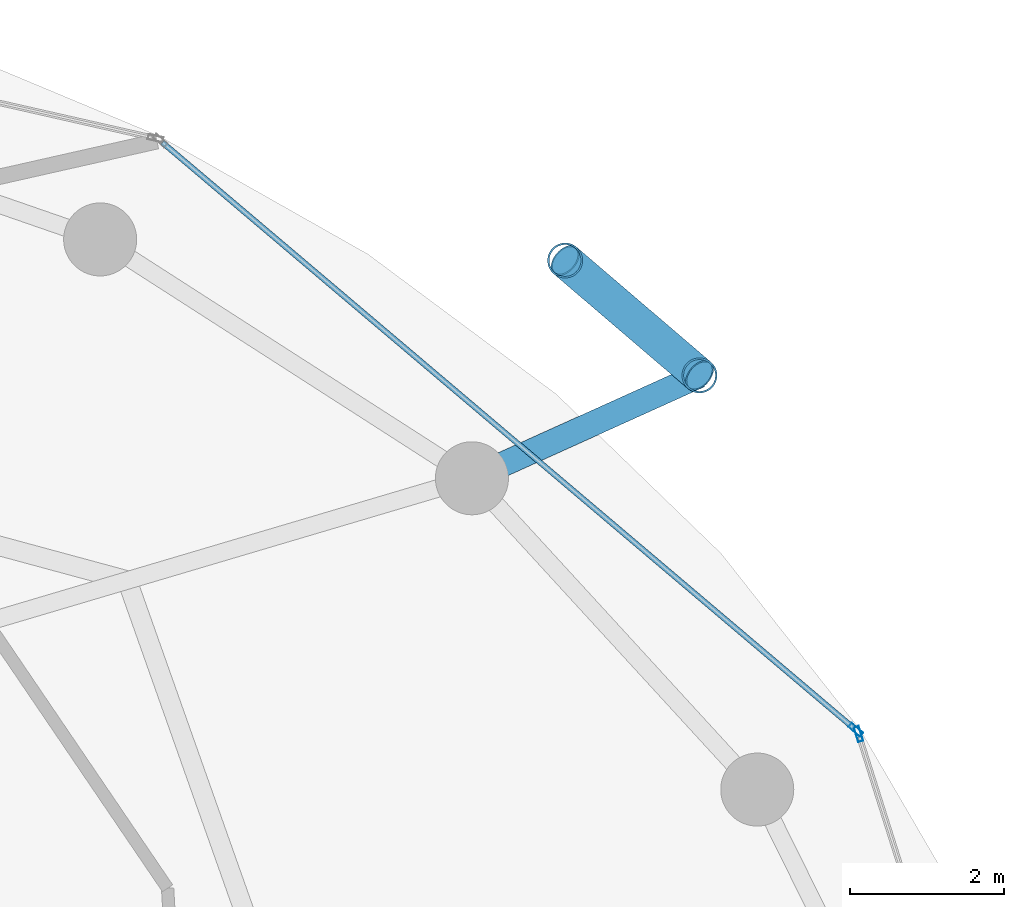
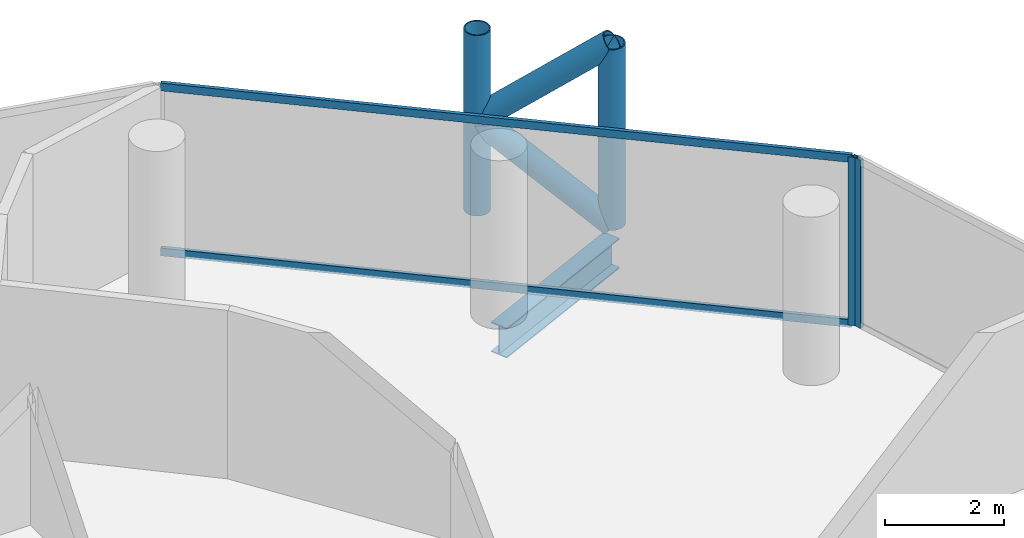
# One storey, part 19 of 26: 8 members, 1 beam, 2 elements without a shape of their own.
"""IFC4 building model written with IfcOpenShell, lengths in metres."""

from ifc_helpers import new_model, si_unit, direction, frame, origin, origin_2d, place, context, subcontext, project, spatial, hollow_rectangle, hollow_circle, i_section, extrude, material, layer, layer_set, material_profile, profile_set, type_object, element, aggregate, save


model = new_model("IFC4")

# Units and contexts
model_context = context("Model", 3, precision=1e-05, world=origin(), true_north=direction((0.0, 1.0)))
body_context = subcontext(model_context, "Body", "Model", "MODEL_VIEW")
ifc_project = project(units=[si_unit("LENGTHUNIT", "METRE"), si_unit("AREAUNIT", "SQUARE_METRE"), si_unit("VOLUMEUNIT", "CUBIC_METRE"), si_unit("PLANEANGLEUNIT", "RADIAN"), si_unit("MASSUNIT", "GRAM", prefix="KILO")], contexts=[model_context])

# Site, building, storey
site_placement = place(None, origin())
site = spatial("IfcSite", under=ifc_project, at=site_placement, CompositionType="ELEMENT")
building_placement = place(site_placement, origin())
building = spatial("IfcBuilding", under=site, at=building_placement, Name="Nuhasar Tower", CompositionType="ELEMENT")
storey_placement = place(building_placement, frame((0.0, 0.0, 121.949951171875)))
storey = spatial("IfcBuildingStorey", under=building, at=storey_placement, Name="L28", CompositionType="ELEMENT", Elevation=121.949951171875)

# Beam
ifc_material_1 = material(Name="Steel S355", Category="steel")
ifc_material_profile_1 = material_profile(ifc_material_1, i_section(OverallWidth=0.323974609375, OverallDepth=0.611083984375, WebThickness=0.0126953125, FlangeThickness=0.01904296875, at=origin_2d()), Name="W24X104")
ifc_profile_set_1 = profile_set([ifc_material_profile_1], Name="Steel S355")
beam_type = type_object("IfcBeamType", Name="BM-TIE-W24X104", PredefinedType="BEAM", material=ifc_profile_set_1)
beam_placement = place(storey_placement, frame((55.510986328125, 40.6240234375, -0.554931640625), z_axis=(0.911239591969, 0.411876687891, 0.0), x_axis=(-0.411876687891, 0.911239591969, 0.0)))
element("IfcBeam", 1, at=beam_placement, inside=storey, type_object=beam_type, Name="L28 Exoskeleton Node Tie Beam 02", PredefinedType="BEAM", context=body_context, shape_type="SweptSolid", body=[
    extrude(i_section(OverallWidth=0.323974609375, OverallDepth=0.611083984375, WebThickness=0.0126953125, FlangeThickness=0.01904296875, at=origin_2d()), origin(), (0.0, 0.0, 1.0), 3.248291015625),
])

# Curtain wall, member
ifc_material_2 = material(Name="Aluminium 6063-T6", Category="aluminium")
ifc_layer = layer(ifc_material_2, 0.199951171875)
ifc_layer_set = layer_set([ifc_layer], Name="Aluminium 6063-T6")
curtain_wall_type = type_object("IfcCurtainWallType", Name="CW-Z2-HTL", PredefinedType="NOTDEFINED", material=ifc_layer_set)
curtain_wall_1_placement = place(storey_placement, origin())
curtain_wall_1 = element("IfcCurtainWall", 2, at=curtain_wall_1_placement, inside=storey, type_object=curtain_wall_type, Name="L28 Unitised Curtain Wall 01", PredefinedType="NOTDEFINED")
ifc_material_profile_2 = material_profile(ifc_material_2, hollow_rectangle(XDim=0.070068359375, YDim=0.199951171875, WallThickness=0.0048828125, at=origin_2d()), Name="CWM-3")
ifc_profile_set_2 = profile_set([ifc_material_profile_2], Name="Aluminium 6063-T6")
member_type_1 = type_object("IfcMemberType", Name="CW-MUL-S3", PredefinedType="MULLION", material=ifc_profile_set_2)
member_1_placement = place(storey_placement, frame((60.53955078125, 37.296630859375, 0.0), z_axis=(0.0, 0.0, 1.0), x_axis=(-0.953433389233, -0.301603667577, 0.0)))
member_1 = element("IfcMember", 3, at=member_1_placement, type_object=member_type_1, Name="CW-Z2 mullion 2", PredefinedType="MULLION", context=body_context, shape_type="SweptSolid", body=[
    extrude(hollow_rectangle(XDim=0.070068359375, YDim=0.199951171875, WallThickness=0.0048828125, at=origin_2d()), origin(), (0.0, 0.0, 1.0), 3.449951171875),
])
aggregate(curtain_wall_1, [member_1])

# Curtain wall, members
curtain_wall_2_placement = place(storey_placement, origin())
curtain_wall_2 = element("IfcCurtainWall", 4, at=curtain_wall_2_placement, inside=storey, type_object=curtain_wall_type, Name="L28 Unitised Curtain Wall 02", PredefinedType="NOTDEFINED")
member_2_placement = place(storey_placement, frame((60.502197265625, 37.3525390625, 0.0), z_axis=(0.0, 0.0, 1.0), x_axis=(-0.646374438324, -0.763020370292, 0.0)))
member_2 = element("IfcMember", 5, at=member_2_placement, type_object=member_type_1, Name="CW-Z2 mullion 1", PredefinedType="MULLION", context=body_context, shape_type="SweptSolid", body=[
    extrude(hollow_rectangle(XDim=0.070068359375, YDim=0.199951171875, WallThickness=0.0048828125, at=origin_2d()), origin(), (0.0, 0.0, 1.0), 3.449951171875),
])
ifc_material_profile_3 = material_profile(ifc_material_2, hollow_rectangle(XDim=0.070068359375, YDim=0.159912109375, WallThickness=0.00439453125, at=origin_2d()), Name="CWT-3")
ifc_profile_set_3 = profile_set([ifc_material_profile_3], Name="Aluminium 6063-T6")
member_type_2 = type_object("IfcMemberType", Name="CW-TRN-S3", PredefinedType="USERDEFINED", material=ifc_profile_set_3)
member_3_placement = place(storey_placement, frame((60.4755859375, 37.375244140625, 0.03515625), z_axis=(-0.763023915269, 0.646370253592, 0.0), x_axis=(-0.646370253592, -0.763023915269, 0.0)))
member_3 = element("IfcMember", 6, at=member_3_placement, type_object=member_type_2, Name="CW-Z2 transom 1.1", ObjectType="TRANSOM", PredefinedType="USERDEFINED", context=body_context, shape_type="SweptSolid", body=[
    extrude(hollow_rectangle(XDim=0.070068359375, YDim=0.159912109375, WallThickness=0.00439453125, at=origin_2d()), origin(), (0.0, 0.0, 1.0), 11.784912109375),
])
member_4_placement = place(storey_placement, frame((60.4755859375, 37.375244140625, 3.4150390625), z_axis=(-0.763023915269, 0.646370253592, 0.0), x_axis=(-0.646370253592, -0.763023915269, 0.0)))
member_4 = element("IfcMember", 7, at=member_4_placement, type_object=member_type_2, Name="CW-Z2 transom 1.2", ObjectType="TRANSOM", PredefinedType="USERDEFINED", context=body_context, shape_type="SweptSolid", body=[
    extrude(hollow_rectangle(XDim=0.070068359375, YDim=0.159912109375, WallThickness=0.00439453125, at=origin_2d()), origin(), (0.0, 0.0, 1.0), 11.784912109375),
])
aggregate(curtain_wall_2, [member_2, member_3, member_4])

# Members
ifc_material_3 = material(Name="Steel S460", Category="steel")
ifc_material_profile_4 = material_profile(ifc_material_3, hollow_circle(Radius=0.228515625, WallThickness=0.022216796875, at=origin_2d()), Name="HSS457X22.2")
ifc_profile_set_4 = profile_set([ifc_material_profile_4], Name="Steel S460")
member_type_3 = type_object("IfcMemberType", Name="EXO-BRONZE-457", PredefinedType="BRACE", material=ifc_profile_set_4)
for number, where, z_axis, x_axis, name in (
    (8, (58.470947265625, 41.9619140625, 0.0), (0.0, 0.0, 1.0), (1.0, 0.0, 0.0), "L28 Exoskeleton Chord Column EC-02A"),
    (9, (56.722900390625, 43.45703125, 0.0), (0.0, 0.0, 1.0), (1.0, 0.0, 0.0), "L28 Exoskeleton Chord Column EC-02B"),
):
    element("IfcMember", number, at=place(storey_placement, frame(where, z_axis=z_axis, x_axis=x_axis)), inside=storey, type_object=member_type_3, Name=name, PredefinedType="BRACE", context=body_context, shape_type="SweptSolid", body=[
        extrude(hollow_circle(Radius=0.228515625, WallThickness=0.022216796875, at=origin_2d()), origin(), (0.0, 0.0, 1.0), 3.699951171875),
    ])
member_5_placement = place(storey_placement, frame((58.470947265625, 41.9619140625, 0.0), z_axis=(-0.592170370358, 0.506487618445, 0.626741210415), x_axis=(-0.649986859795, -0.759945446788, 0.0)))
element("IfcMember", 10, at=member_5_placement, inside=storey, type_object=member_type_3, Name="L28 Bronze Diagrid Brace W1-02", PredefinedType="BRACE", context=body_context, shape_type="SweptSolid", body=[
    extrude(hollow_circle(Radius=0.228515625, WallThickness=0.022216796875, at=origin_2d()), origin(), (0.0, 0.0, 1.0), 2.951904296875),
])
member_6_placement = place(storey_placement, frame((56.722900390625, 43.45703125, 1.85009765625), z_axis=(0.592201065785, -0.506513872468, 0.626690988192), x_axis=(0.649986859795, 0.759945446788, 0.0)))
element("IfcMember", 11, at=member_6_placement, inside=storey, type_object=member_type_3, Name="L28 Bronze Diagrid Brace W2-02", PredefinedType="BRACE", context=body_context, shape_type="SweptSolid", body=[
    extrude(hollow_circle(Radius=0.228515625, WallThickness=0.022216796875, at=origin_2d()), origin(), (0.0, 0.0, 1.0), 2.95166015625),
])

save(model, "model.ifc")
